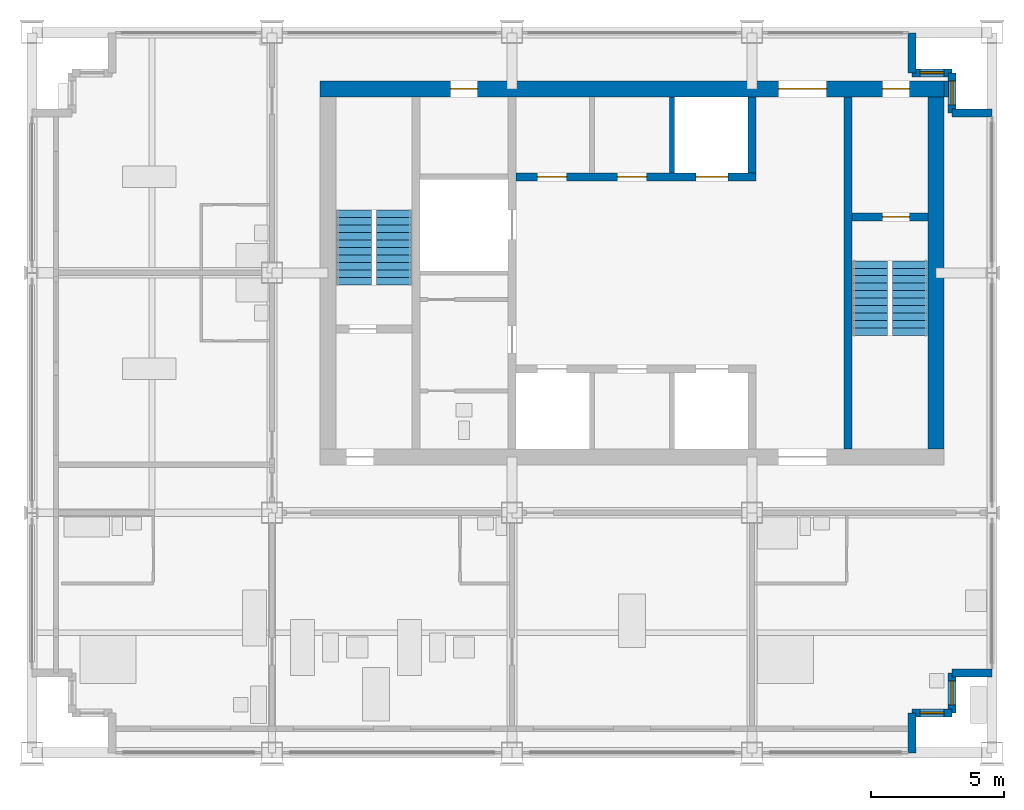
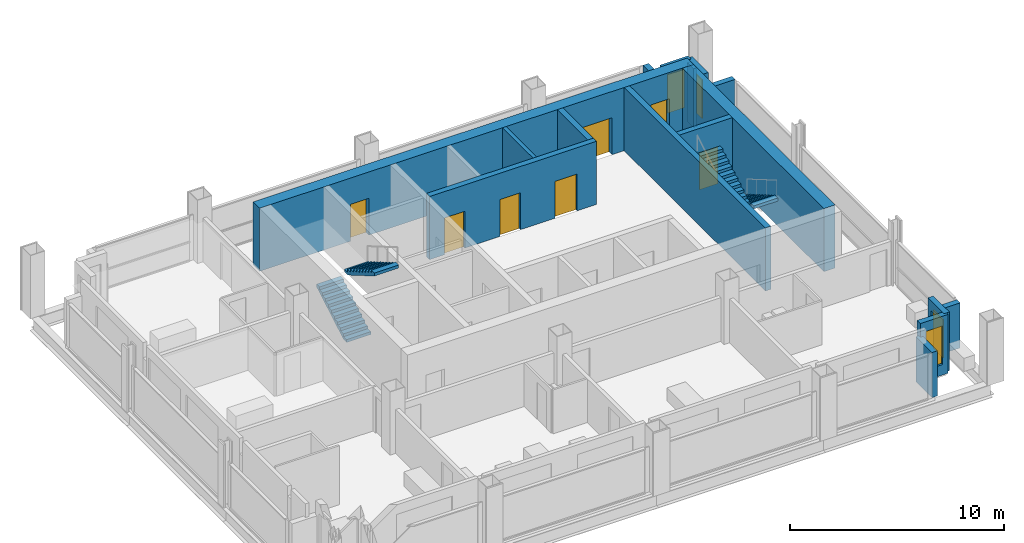
# One storey, part 8 of 11: 16 walls, 7 doors, 4 stair flights, 4 windows, 11 openings, 2 elements without a shape of their own.
"""IFC4 building model written with IfcOpenShell, lengths in metres."""

from ifc_helpers import new_model, si_unit, direction, frame, frame_2d, origin, place, context, subcontext, project, spatial, polyline, rectangle, outline, extrude, material, layer, layer_set, type_object, element, fill, aggregate, save


model = new_model("IFC4")

# Units and contexts
model_context = context("Model", 3, precision=1e-05, world=origin(), true_north=direction((0.0, 1.0)))
body_context = subcontext(model_context, "Body", "Model", "MODEL_VIEW")
ifc_project = project(units=[si_unit("LENGTHUNIT", "METRE"), si_unit("AREAUNIT", "SQUARE_METRE"), si_unit("VOLUMEUNIT", "CUBIC_METRE"), si_unit("PLANEANGLEUNIT", "RADIAN"), si_unit("MASSUNIT", "GRAM", prefix="KILO")], contexts=[model_context])

# Site, building, storey
site_placement = place(None, origin())
site = spatial("IfcSite", under=ifc_project, at=site_placement, CompositionType="ELEMENT")
building_placement = place(site_placement, origin())
building = spatial("IfcBuilding", under=site, at=building_placement, Name="Loomwork Tower", CompositionType="ELEMENT")
storey_placement = place(building_placement, frame((0.0, 0.0, 266.199951171875)))
storey = spatial("IfcBuildingStorey", under=building, at=storey_placement, Name="L73", CompositionType="ELEMENT", Elevation=266.199951171875)

# Wall, openings, doors
ifc_material_1 = material(Name="Concrete 14000 psi (97 MPa)", Category="concrete")
ifc_layer_1 = layer(ifc_material_1, 0.300048828125)
ifc_layer_set_1 = layer_set([ifc_layer_1], Name="Core shear wall 300")
wall_type_1 = type_object("IfcWallType", Name="Core shear wall 300", PredefinedType="SHEAR", material=ifc_layer_set_1)
wall_1_placement = place(storey_placement, frame((18.14990234375, 21.60009765625, 0.0), z_axis=(0.0, 0.0, 1.0), x_axis=(1.0, 0.0, 0.0)))
wall_1 = element("IfcWall", 1, at=wall_1_placement, inside=storey, type_object=wall_type_1, Name="Lift front wall north L73", PredefinedType="SHEAR", context=body_context, shape_type="SweptSolid", body=[
    extrude(rectangle(XDim=9.0, YDim=0.300048828125, at=frame_2d((4.5, 0.0))), origin(), (0.0, 0.0, 1.0), 3.60009765625),
])
opening_1_placement = place(wall_1_placement, frame((6.75, 0.0, 0.0)))
opening_1 = element("IfcOpeningElement", 2, at=opening_1_placement, cuts=wall_1, Name="Opening LD2", PredefinedType="OPENING", context=body_context, shape_type="SweptSolid", body=[
    extrude(rectangle(XDim=1.199951171875, YDim=2.10009765625, at=frame_2d((0.60009765625, 1.050048828125))), frame((0.0, 0.159912109375, 0.0), z_axis=(0.0, -1.0, 0.0), x_axis=(1.0, 0.0, 0.0)), (0.0, 0.0, 1.0), 0.320068359375),
])
opening_2_placement = place(wall_1_placement, frame((0.800048828125, 0.0, 0.0)))
opening_2 = element("IfcOpeningElement", 3, at=opening_2_placement, cuts=wall_1, Name="Opening D17", PredefinedType="OPENING", context=body_context, shape_type="SweptSolid", body=[
    extrude(rectangle(XDim=1.10009765625, YDim=2.10009765625, at=frame_2d((0.550048828125, 1.050048828125))), frame((0.0, 0.159912109375, 0.0), z_axis=(0.0, -1.0, 0.0), x_axis=(1.0, 0.0, 0.0)), (0.0, 0.0, 1.0), 0.320068359375),
])
opening_3_placement = place(wall_1_placement, frame((3.800048828125, 0.0, 0.0)))
opening_3 = element("IfcOpeningElement", 4, at=opening_3_placement, cuts=wall_1, Name="Opening D17", PredefinedType="OPENING", context=body_context, shape_type="SweptSolid", body=[
    extrude(rectangle(XDim=1.10009765625, YDim=2.10009765625, at=frame_2d((0.550048828125, 1.050048828125))), frame((0.0, 0.159912109375, 0.0), z_axis=(0.0, -1.0, 0.0), x_axis=(1.0, 0.0, 0.0)), (0.0, 0.0, 1.0), 0.320068359375),
])
ifc_material_2 = material(Name="Hollow metal door and frame")
door_type_1 = type_object("IfcDoorType", Name="Lift landing door 1200", OperationType="SLIDING_TO_LEFT", PredefinedType="DOOR", material=ifc_material_2)
door_1_placement = place(opening_1_placement, origin())
door_1 = element("IfcDoor", 5, at=door_1_placement, inside=storey, type_object=door_type_1, Name="Lift landing door LF2", OperationType="SLIDING_TO_LEFT", OverallHeight=2.10009765625, OverallWidth=1.199951171875, PredefinedType="DOOR", context=body_context, shape_type="SweptSolid", body=[
    extrude(rectangle(XDim=1.199951171875, YDim=2.10009765625, at=frame_2d((0.60009765625, 1.050048828125))), frame((0.0, 0.02490234375, 0.0), z_axis=(0.0, -1.0, 0.0), x_axis=(1.0, 0.0, 0.0)), (0.0, 0.0, 1.0), 0.050048828125),
])
fill(opening_1, door_1)
ifc_material_3 = material(Name="Hollow metal door and frame")
door_type_2 = type_object("IfcDoorType", Name="Service room door 1100", OperationType="SINGLE_SWING_LEFT", PredefinedType="DOOR", material=ifc_material_3)
door_2_placement = place(opening_2_placement, origin())
door_2 = element("IfcDoor", 6, at=door_2_placement, inside=storey, type_object=door_type_2, Name="Storage room door L73", OperationType="SINGLE_SWING_LEFT", OverallHeight=2.10009765625, OverallWidth=1.10009765625, PredefinedType="DOOR", context=body_context, shape_type="SweptSolid", body=[
    extrude(rectangle(XDim=1.10009765625, YDim=2.10009765625, at=frame_2d((0.550048828125, 1.050048828125))), frame((0.0, 0.02490234375, 0.0), z_axis=(0.0, -1.0, 0.0), x_axis=(1.0, 0.0, 0.0)), (0.0, 0.0, 1.0), 0.050048828125),
])
fill(opening_2, door_2)
door_3_placement = place(opening_3_placement, origin())
door_3 = element("IfcDoor", 7, at=door_3_placement, inside=storey, type_object=door_type_2, Name="Linen and housekeeping store door L73", OperationType="SINGLE_SWING_LEFT", OverallHeight=2.10009765625, OverallWidth=1.10009765625, PredefinedType="DOOR", context=body_context, shape_type="SweptSolid", body=[
    extrude(rectangle(XDim=1.10009765625, YDim=2.10009765625, at=frame_2d((0.550048828125, 1.050048828125))), frame((0.0, 0.02490234375, 0.0), z_axis=(0.0, -1.0, 0.0), x_axis=(1.0, 0.0, 0.0)), (0.0, 0.0, 1.0), 0.050048828125),
])
fill(opening_3, door_3)

# Walls
wall_2_placement = place(storey_placement, frame((27.0, 21.75, 0.0), z_axis=(0.0, 0.0, 1.0), x_axis=(0.0, 1.0, 0.0)))
element("IfcWall", 8, at=wall_2_placement, inside=storey, type_object=wall_type_1, Name="Lift shaft end wall north L73", PredefinedType="SHEAR", context=body_context, shape_type="SweptSolid", body=[
    extrude(rectangle(XDim=2.85009765625, YDim=0.300048828125, at=frame_2d((1.425048828125, 0.0))), origin(), (0.0, 0.0, 1.0), 3.60009765625),
])
wall_3_placement = place(storey_placement, frame((30.60009765625, 11.39990234375, 0.0), z_axis=(0.0, 0.0, 1.0), x_axis=(0.0, 1.0, 0.0)))
element("IfcWall", 9, at=wall_3_placement, inside=storey, type_object=wall_type_1, Name="Stair B west wall L73", PredefinedType="SHEAR", context=body_context, shape_type="SweptSolid", body=[
    extrude(rectangle(XDim=13.2001953125, YDim=0.300048828125, at=frame_2d((6.60009765625, 0.0))), origin(), (0.0, 0.0, 1.0), 3.60009765625),
])

# Wall, opening, door
wall_4_placement = place(storey_placement, frame((30.75, 20.10009765625, 0.0), z_axis=(0.0, 0.0, 1.0), x_axis=(1.0, 0.0, 0.0)))
wall_4 = element("IfcWall", 10, at=wall_4_placement, inside=storey, type_object=wall_type_1, Name="Stair B north wall L73", PredefinedType="SHEAR", context=body_context, shape_type="SweptSolid", body=[
    extrude(rectangle(XDim=2.85009765625, YDim=0.300048828125, at=frame_2d((1.425048828125, 0.0))), origin(), (0.0, 0.0, 1.0), 3.60009765625),
])
opening_4_placement = place(wall_4_placement, frame((1.14990234375, 0.0, 0.0)))
opening_4 = element("IfcOpeningElement", 11, at=opening_4_placement, cuts=wall_4, Name="Opening D4", PredefinedType="OPENING", context=body_context, shape_type="SweptSolid", body=[
    extrude(rectangle(XDim=1.0, YDim=2.10009765625, at=frame_2d((0.5, 1.050048828125))), frame((0.0, 0.159912109375, 0.0), z_axis=(0.0, -1.0, 0.0), x_axis=(1.0, 0.0, 0.0)), (0.0, 0.0, 1.0), 0.320068359375),
])
ifc_material_4 = material(Name="Hollow metal door and frame")
door_type_3 = type_object("IfcDoorType", Name="Stair door 1000", OperationType="SINGLE_SWING_RIGHT", PredefinedType="DOOR", material=ifc_material_4)
door_4_placement = place(opening_4_placement, frame((1.0, 0.0, 0.0), z_axis=(0.0, 0.0, 1.0), x_axis=(-1.0, 0.0, 0.0)))
door_4 = element("IfcDoor", 12, at=door_4_placement, inside=storey, type_object=door_type_3, Name="Stair B door", OperationType="SINGLE_SWING_LEFT", OverallHeight=2.10009765625, OverallWidth=1.0, PredefinedType="DOOR", context=body_context, shape_type="SweptSolid", body=[
    extrude(rectangle(XDim=1.0, YDim=2.10009765625, at=frame_2d((0.5, 1.050048828125))), frame((0.0, 0.02490234375, 0.0), z_axis=(0.0, -1.0, 0.0), x_axis=(1.0, 0.0, 0.0)), (0.0, 0.0, 1.0), 0.050048828125),
])
fill(opening_4, door_4)

# Wall, openings, doors
ifc_material_5 = material(Name="Concrete 14000 psi (97 MPa)", Category="concrete")
ifc_layer_2 = layer(ifc_material_5, 0.60009765625)
ifc_layer_set_2 = layer_set([ifc_layer_2], Name="Core shear wall 600")
wall_type_2 = type_object("IfcWallType", Name="Core shear wall 600", PredefinedType="SHEAR", material=ifc_layer_set_2)
wall_5_placement = place(storey_placement, frame((10.800048828125, 24.89990234375, 0.0), z_axis=(0.0, 0.0, 1.0), x_axis=(1.0, 0.0, 0.0)))
wall_5 = element("IfcWall", 13, at=wall_5_placement, inside=storey, type_object=wall_type_2, Name="Core wall north L73", PredefinedType="SHEAR", context=body_context, shape_type="SweptSolid", body=[
    extrude(rectangle(XDim=23.39990234375, YDim=0.60009765625, at=frame_2d((11.699951171875, 0.0))), origin(), (0.0, 0.0, 1.0), 3.60009765625),
])
opening_5_placement = place(wall_5_placement, frame((17.199951171875, 0.0, 0.0)))
opening_5 = element("IfcOpeningElement", 14, at=opening_5_placement, cuts=wall_5, Name="Opening D6", PredefinedType="OPENING", context=body_context, shape_type="SweptSolid", body=[
    extrude(rectangle(XDim=1.800048828125, YDim=2.10009765625, at=frame_2d((0.89990234375, 1.050048828125))), frame((0.0, 0.31005859375, 0.0), z_axis=(0.0, -1.0, 0.0), x_axis=(1.0, 0.0, 0.0)), (0.0, 0.0, 1.0), 0.6201171875),
])
opening_6_placement = place(wall_5_placement, frame((21.10009765625, 0.0, 0.0)))
opening_6 = element("IfcOpeningElement", 15, at=opening_6_placement, cuts=wall_5, Name="Opening D4", PredefinedType="OPENING", context=body_context, shape_type="SweptSolid", body=[
    extrude(rectangle(XDim=1.0, YDim=2.10009765625, at=frame_2d((0.5, 1.050048828125))), frame((0.0, 0.31005859375, 0.0), z_axis=(0.0, -1.0, 0.0), x_axis=(1.0, 0.0, 0.0)), (0.0, 0.0, 1.0), 0.6201171875),
])
opening_7_placement = place(wall_5_placement, frame((4.89990234375, 0.0, 0.0)))
opening_7 = element("IfcOpeningElement", 16, at=opening_7_placement, cuts=wall_5, Name="Opening D5", PredefinedType="OPENING", context=body_context, shape_type="SweptSolid", body=[
    extrude(rectangle(XDim=1.0, YDim=2.10009765625, at=frame_2d((0.5, 1.050048828125))), frame((0.0, 0.31005859375, 0.0), z_axis=(0.0, -1.0, 0.0), x_axis=(1.0, 0.0, 0.0)), (0.0, 0.0, 1.0), 0.6201171875),
])
ifc_material_6 = material(Name="Hollow metal door and frame")
door_type_4 = type_object("IfcDoorType", Name="Lobby passage double door 1800", OperationType="DOUBLE_DOOR_SINGLE_SWING", PredefinedType="DOOR", material=ifc_material_6)
door_5_placement = place(opening_5_placement, frame((1.800048828125, 0.0, 0.0), z_axis=(0.0, 0.0, 1.0), x_axis=(-1.0, 0.0, 0.0)))
door_5 = element("IfcDoor", 17, at=door_5_placement, inside=storey, type_object=door_type_4, Name="Lobby passage door north", OperationType="DOUBLE_DOOR_SINGLE_SWING", OverallHeight=2.10009765625, OverallWidth=1.800048828125, PredefinedType="DOOR", context=body_context, shape_type="SweptSolid", body=[
    extrude(rectangle(XDim=1.800048828125, YDim=2.10009765625, at=frame_2d((0.89990234375, 1.050048828125))), frame((0.0, 0.02490234375, 0.0), z_axis=(0.0, -1.0, 0.0), x_axis=(1.0, 0.0, 0.0)), (0.0, 0.0, 1.0), 0.050048828125),
])
fill(opening_5, door_5)
ifc_material_7 = material(Name="Hollow metal door and frame")
door_type_5 = type_object("IfcDoorType", Name="Service door 1000", OperationType="SINGLE_SWING_LEFT", PredefinedType="DOOR", material=ifc_material_7)
door_6_placement = place(opening_7_placement, frame((1.0, 0.0, 0.0), z_axis=(0.0, 0.0, 1.0), x_axis=(-1.0, 0.0, 0.0)))
door_6 = element("IfcDoor", 18, at=door_6_placement, inside=storey, type_object=door_type_5, Name="Back-of-house door north", OperationType="SINGLE_SWING_LEFT", OverallHeight=2.10009765625, OverallWidth=1.0, PredefinedType="DOOR", context=body_context, shape_type="SweptSolid", body=[
    extrude(rectangle(XDim=1.0, YDim=2.10009765625, at=frame_2d((0.5, 1.050048828125))), frame((0.0, 0.02490234375, 0.0), z_axis=(0.0, -1.0, 0.0), x_axis=(1.0, 0.0, 0.0)), (0.0, 0.0, 1.0), 0.050048828125),
])
fill(opening_7, door_6)
door_7_placement = place(opening_6_placement, frame((1.0, 0.0, 0.0), z_axis=(0.0, 0.0, 1.0), x_axis=(-1.0, 0.0, 0.0)))
door_7 = element("IfcDoor", 19, at=door_7_placement, inside=storey, type_object=door_type_3, Name="Stair B vestibule door", OperationType="SINGLE_SWING_LEFT", OverallHeight=2.10009765625, OverallWidth=1.0, PredefinedType="DOOR", context=body_context, shape_type="SweptSolid", body=[
    extrude(rectangle(XDim=1.0, YDim=2.10009765625, at=frame_2d((0.5, 1.050048828125))), frame((0.0, 0.02490234375, 0.0), z_axis=(0.0, -1.0, 0.0), x_axis=(1.0, 0.0, 0.0)), (0.0, 0.0, 1.0), 0.050048828125),
])
fill(opening_6, door_7)

# Walls
wall_6_placement = place(storey_placement, frame((33.89990234375, 11.39990234375, 0.0), z_axis=(0.0, 0.0, 1.0), x_axis=(0.0, 1.0, 0.0)))
element("IfcWall", 20, at=wall_6_placement, inside=storey, type_object=wall_type_2, Name="Core wall east L73", PredefinedType="SHEAR", context=body_context, shape_type="SweptSolid", body=[
    extrude(rectangle(XDim=13.2001953125, YDim=0.60009765625, at=frame_2d((6.60009765625, 0.0))), origin(), (0.0, 0.0, 1.0), 3.60009765625),
])
ifc_material_8 = material(Name="Concrete 14000 psi (97 MPa)", Category="concrete")
ifc_layer_3 = layer(ifc_material_8, 0.199951171875)
ifc_layer_set_3 = layer_set([ifc_layer_3], Name="Lift shaft wall 200")
wall_type_3 = type_object("IfcWallType", Name="Lift shaft wall 200", PredefinedType="SHEAR", material=ifc_layer_set_3)
wall_7_placement = place(storey_placement, frame((24.0, 21.75, 0.0), z_axis=(0.0, 0.0, 1.0), x_axis=(0.0, 1.0, 0.0)))
element("IfcWall", 21, at=wall_7_placement, inside=storey, type_object=wall_type_3, Name="Lift shaft separation wall north 2 L73", PredefinedType="SHEAR", context=body_context, shape_type="SweptSolid", body=[
    extrude(rectangle(XDim=2.85009765625, YDim=0.199951171875, at=frame_2d((1.425048828125, 0.0))), origin(), (0.0, 0.0, 1.0), 3.60009765625),
])
ifc_material_9 = material(Name="Limestone on concrete masonry", Category="masonry")
ifc_layer_4 = layer(ifc_material_9, 0.300048828125)
ifc_layer_set_4 = layer_set([ifc_layer_4], Name="Limestone corner wall 300")
wall_type_4 = type_object("IfcWallType", Name="Limestone corner wall 300", PredefinedType="SOLIDWALL", material=ifc_layer_set_4)
wall_8_placement = place(storey_placement, frame((33.0, 0.0, 0.0), z_axis=(0.0, 0.0, 1.0), x_axis=(0.0, 1.0, 0.0)))
element("IfcWall", 22, at=wall_8_placement, inside=storey, type_object=wall_type_4, Name="Stone corner wall SE 1", PredefinedType="SOLIDWALL", context=body_context, shape_type="SweptSolid", body=[
    extrude(rectangle(XDim=1.5, YDim=0.300048828125, at=frame_2d((0.75, 0.0))), origin(), (0.0, 0.0, 1.0), 2.570068359375),
])

# Wall, opening, window
wall_9_placement = place(storey_placement, frame((33.0, 1.5, 0.0), z_axis=(0.0, 0.0, 1.0), x_axis=(1.0, 0.0, 0.0)))
wall_9 = element("IfcWall", 23, at=wall_9_placement, inside=storey, type_object=wall_type_4, Name="Stone corner wall SE 2", PredefinedType="SOLIDWALL", context=body_context, shape_type="SweptSolid", body=[
    extrude(rectangle(XDim=1.5, YDim=0.300048828125, at=frame_2d((0.75, 0.0))), origin(), (0.0, 0.0, 1.0), 3.35009765625),
])
opening_8_placement = place(wall_9_placement, frame((0.300048828125, 0.0, 0.60009765625)))
opening_8 = element("IfcOpeningElement", 24, at=opening_8_placement, cuts=wall_9, Name="Opening CH2", PredefinedType="OPENING", context=body_context, shape_type="SweptSolid", body=[
    extrude(rectangle(XDim=0.89990234375, YDim=2.199951171875, at=frame_2d((0.449951171875, 1.10009765625))), frame((0.0, 0.159912109375, 0.0), z_axis=(0.0, -1.0, 0.0), x_axis=(1.0, 0.0, 0.0)), (0.0, 0.0, 1.0), 0.320068359375),
])
ifc_material_10 = material(Name="Aluminium frame with clear insulated glass", Category="aluminium")
window_type = type_object("IfcWindowType", Name="Corner window 900", PartitioningType="SINGLE_PANEL", PredefinedType="WINDOW", material=ifc_material_10)
window_1_placement = place(opening_8_placement, origin())
window_1 = element("IfcWindow", 25, at=window_1_placement, inside=storey, type_object=window_type, Name="Corner window SE", OverallHeight=2.199951171875, OverallWidth=0.89990234375, PartitioningType="SINGLE_PANEL", PredefinedType="WINDOW", context=body_context, shape_type="SweptSolid", body=[
    extrude(rectangle(XDim=0.89990234375, YDim=2.199951171875, at=frame_2d((0.449951171875, 1.10009765625))), frame((0.0, 0.030029296875, 0.0), z_axis=(0.0, -1.0, 0.0), x_axis=(1.0, 0.0, 0.0)), (0.0, 0.0, 1.0), 0.06005859375),
])
fill(opening_8, window_1)

wall_10_placement = place(storey_placement, frame((34.5, 1.5, 0.0), z_axis=(0.0, 0.0, 1.0), x_axis=(0.0, 1.0, 0.0)))
wall_10 = element("IfcWall", 26, at=wall_10_placement, inside=storey, type_object=wall_type_4, Name="Stone corner wall SE 3", PredefinedType="SOLIDWALL", context=body_context, shape_type="SweptSolid", body=[
    extrude(rectangle(XDim=1.5, YDim=0.300048828125, at=frame_2d((0.75, 0.0))), origin(), (0.0, 0.0, 1.0), 3.35009765625),
])
opening_9_placement = place(wall_10_placement, frame((0.300048828125, 0.0, 0.60009765625)))
opening_9 = element("IfcOpeningElement", 27, at=opening_9_placement, cuts=wall_10, Name="Opening CH2", PredefinedType="OPENING", context=body_context, shape_type="SweptSolid", body=[
    extrude(rectangle(XDim=0.89990234375, YDim=2.199951171875, at=frame_2d((0.449951171875, 1.10009765625))), frame((0.0, 0.159912109375, 0.0), z_axis=(0.0, -1.0, 0.0), x_axis=(1.0, 0.0, 0.0)), (0.0, 0.0, 1.0), 0.320068359375),
])
window_2_placement = place(opening_9_placement, origin())
window_2 = element("IfcWindow", 28, at=window_2_placement, inside=storey, type_object=window_type, Name="Corner window SE", OverallHeight=2.199951171875, OverallWidth=0.89990234375, PartitioningType="SINGLE_PANEL", PredefinedType="WINDOW", context=body_context, shape_type="SweptSolid", body=[
    extrude(rectangle(XDim=0.89990234375, YDim=2.199951171875, at=frame_2d((0.449951171875, 1.10009765625))), frame((0.0, 0.030029296875, 0.0), z_axis=(0.0, -1.0, 0.0), x_axis=(1.0, 0.0, 0.0)), (0.0, 0.0, 1.0), 0.06005859375),
])
fill(opening_9, window_2)

# Walls
for number, where, z_axis, x_axis, name in (
    (29, (34.5, 3.0, 0.0), (0.0, 0.0, 1.0), (1.0, 0.0, 0.0), "Stone corner wall SE 4"),
    (30, (36.0, 24.0, 0.0), (0.0, 0.0, 1.0), (-1.0, 0.0, 0.0), "Stone corner wall NE 1"),
):
    element("IfcWall", number, at=place(storey_placement, frame(where, z_axis=z_axis, x_axis=x_axis)), inside=storey, type_object=wall_type_4, Name=name, PredefinedType="SOLIDWALL", context=body_context, shape_type="SweptSolid", body=[
        extrude(rectangle(XDim=1.5, YDim=0.300048828125, at=frame_2d((0.75, 0.0))), origin(), (0.0, 0.0, 1.0), 2.570068359375),
    ])

# Wall, opening, window
wall_11_placement = place(storey_placement, frame((34.5, 24.0, 0.0), z_axis=(0.0, 0.0, 1.0), x_axis=(0.0, 1.0, 0.0)))
wall_11 = element("IfcWall", 31, at=wall_11_placement, inside=storey, type_object=wall_type_4, Name="Stone corner wall NE 2", PredefinedType="SOLIDWALL", context=body_context, shape_type="SweptSolid", body=[
    extrude(rectangle(XDim=1.5, YDim=0.300048828125, at=frame_2d((0.75, 0.0))), origin(), (0.0, 0.0, 1.0), 3.35009765625),
])
opening_10_placement = place(wall_11_placement, frame((0.300048828125, 0.0, 0.60009765625)))
opening_10 = element("IfcOpeningElement", 32, at=opening_10_placement, cuts=wall_11, Name="Opening CH2", PredefinedType="OPENING", context=body_context, shape_type="SweptSolid", body=[
    extrude(rectangle(XDim=0.89990234375, YDim=2.199951171875, at=frame_2d((0.449951171875, 1.10009765625))), frame((0.0, 0.159912109375, 0.0), z_axis=(0.0, -1.0, 0.0), x_axis=(1.0, 0.0, 0.0)), (0.0, 0.0, 1.0), 0.320068359375),
])
window_3_placement = place(opening_10_placement, origin())
window_3 = element("IfcWindow", 33, at=window_3_placement, inside=storey, type_object=window_type, Name="Corner window NE", OverallHeight=2.199951171875, OverallWidth=0.89990234375, PartitioningType="SINGLE_PANEL", PredefinedType="WINDOW", context=body_context, shape_type="SweptSolid", body=[
    extrude(rectangle(XDim=0.89990234375, YDim=2.199951171875, at=frame_2d((0.449951171875, 1.10009765625))), frame((0.0, 0.030029296875, 0.0), z_axis=(0.0, -1.0, 0.0), x_axis=(1.0, 0.0, 0.0)), (0.0, 0.0, 1.0), 0.06005859375),
])
fill(opening_10, window_3)

wall_12_placement = place(storey_placement, frame((34.5, 25.5, 0.0), z_axis=(0.0, 0.0, 1.0), x_axis=(-1.0, 0.0, 0.0)))
wall_12 = element("IfcWall", 34, at=wall_12_placement, inside=storey, type_object=wall_type_4, Name="Stone corner wall NE 3", PredefinedType="SOLIDWALL", context=body_context, shape_type="SweptSolid", body=[
    extrude(rectangle(XDim=1.5, YDim=0.300048828125, at=frame_2d((0.75, 0.0))), origin(), (0.0, 0.0, 1.0), 3.35009765625),
])
opening_11_placement = place(wall_12_placement, frame((0.300048828125, 0.0, 0.60009765625)))
opening_11 = element("IfcOpeningElement", 35, at=opening_11_placement, cuts=wall_12, Name="Opening CH2", PredefinedType="OPENING", context=body_context, shape_type="SweptSolid", body=[
    extrude(rectangle(XDim=0.89990234375, YDim=2.199951171875, at=frame_2d((0.449951171875, 1.10009765625))), frame((0.0, 0.159912109375, 0.0), z_axis=(0.0, -1.0, 0.0), x_axis=(1.0, 0.0, 0.0)), (0.0, 0.0, 1.0), 0.320068359375),
])
window_4_placement = place(opening_11_placement, origin())
window_4 = element("IfcWindow", 36, at=window_4_placement, inside=storey, type_object=window_type, Name="Corner window NE", OverallHeight=2.199951171875, OverallWidth=0.89990234375, PartitioningType="SINGLE_PANEL", PredefinedType="WINDOW", context=body_context, shape_type="SweptSolid", body=[
    extrude(rectangle(XDim=0.89990234375, YDim=2.199951171875, at=frame_2d((0.449951171875, 1.10009765625))), frame((0.0, 0.030029296875, 0.0), z_axis=(0.0, -1.0, 0.0), x_axis=(1.0, 0.0, 0.0)), (0.0, 0.0, 1.0), 0.06005859375),
])
fill(opening_11, window_4)

# Walls
wall_13_placement = place(storey_placement, frame((33.0, 25.5, 0.0), z_axis=(0.0, 0.0, 1.0), x_axis=(0.0, 1.0, 0.0)))
element("IfcWall", 37, at=wall_13_placement, inside=storey, type_object=wall_type_4, Name="Stone corner wall NE 4", PredefinedType="SOLIDWALL", context=body_context, shape_type="SweptSolid", body=[
    extrude(rectangle(XDim=1.5, YDim=0.300048828125, at=frame_2d((0.75, 0.0))), origin(), (0.0, 0.0, 1.0), 2.570068359375),
])
ifc_material_11 = material(Name="Gypsum board on steel studs, one-hour", Category="steel")
ifc_layer_5 = layer(ifc_material_11, 0.14990234375)
ifc_layer_set_5 = layer_set([ifc_layer_5], Name="Service partition 150")
wall_type_5 = type_object("IfcWallType", Name="Service partition 150", PredefinedType="PARTITIONING", material=ifc_layer_set_5)
wall_14_placement = place(storey_placement, frame((34.199951171875, 24.89990234375, 0.0), z_axis=(0.0, 0.0, 1.0), x_axis=(1.0, 0.0, 0.0)))
element("IfcWall", 38, at=wall_14_placement, inside=storey, type_object=wall_type_5, Name="Core wall infill L73", PredefinedType="PARTITIONING", context=body_context, shape_type="SweptSolid", body=[
    extrude(rectangle(XDim=0.16015625, YDim=0.60009765625, at=frame_2d((0.080078125, 0.0))), origin(), (0.0, 0.0, 1.0), 3.35009765625),
])

# Stair, stair flights
ifc_material_12 = material(Name="Concrete 5000 psi (34 MPa) precast stair", Category="concrete")
stair_type_1 = type_object("IfcStairType", Name="Stair ST-A 22 risers 2850 wide", PredefinedType="HALF_TURN_STAIR", material=ifc_material_12)
stair_1_placement = place(storey_placement, origin())
stair_1 = element("IfcStair", 39, at=stair_1_placement, inside=storey, type_object=stair_type_1, Name="Stair A L73", PredefinedType="HALF_TURN_STAIR")
ifc_material_13 = material(Name="Concrete 5000 psi (34 MPa) precast stair", Category="concrete")
stair_flight_type_1 = type_object("IfcStairFlightType", Name="Stair flight ST-A 11 risers 1300 wide", PredefinedType="STRAIGHT", material=ifc_material_13)
stair_flight_1_placement = place(storey_placement, frame((12.074951171875, 17.550048828125, 0.0), z_axis=(0.0, 0.0, 1.0), x_axis=(0.0, 1.0, 0.0)))
stair_flight_1 = element("IfcStairFlight", 40, at=stair_flight_1_placement, type_object=stair_flight_type_1, Name="ST-A flight 1", NumberOfRisers=11, NumberOfTreads=10, PredefinedType="STRAIGHT", RiserHeight=0.163636364, TreadLength=0.28, context=body_context, shape_type="SweptSolid", body=[
    extrude(outline(polyline([(0.0, 0.0), (0.0, 0.16357421875), (0.280029296875, 0.16357421875), (0.280029296875, 0.327392578125), (0.56005859375, 0.327392578125), (0.56005859375, 0.490966796875), (0.840087890625, 0.490966796875), (0.840087890625, 0.654541015625), (1.1201171875, 0.654541015625), (1.1201171875, 0.818115234375), (1.39990234375, 0.818115234375), (1.39990234375, 0.98193359375), (1.679931640625, 0.98193359375), (1.679931640625, 1.1455078125), (1.9599609375, 1.1455078125), (1.9599609375, 1.30908203125), (2.239990234375, 1.30908203125), (2.239990234375, 1.47265625), (2.52001953125, 1.47265625), (2.52001953125, 1.636474609375), (2.800048828125, 1.636474609375), (2.800048828125, 1.800048828125), (2.800048828125, 1.462646484375), (0.297119140625, 0.0), (0.0, 0.0)])), frame((0.0, 0.64990234375, 0.0), z_axis=(0.0, -1.0, 0.0), x_axis=(1.0, 0.0, 0.0)), (0.0, 0.0, 1.0), 1.300048828125),
])
stair_flight_2_placement = place(storey_placement, frame((13.574951171875, 20.35009765625, 1.800048828125), z_axis=(0.0, 0.0, 1.0), x_axis=(0.0, -1.0, 0.0)))
stair_flight_2 = element("IfcStairFlight", 41, at=stair_flight_2_placement, type_object=stair_flight_type_1, Name="ST-A flight 2", NumberOfRisers=11, NumberOfTreads=10, PredefinedType="STRAIGHT", RiserHeight=0.163636364, TreadLength=0.28, context=body_context, shape_type="SweptSolid", body=[
    extrude(outline(polyline([(0.0, 0.0), (0.0, 0.16357421875), (0.280029296875, 0.16357421875), (0.280029296875, 0.327392578125), (0.56005859375, 0.327392578125), (0.56005859375, 0.490966796875), (0.840087890625, 0.490966796875), (0.840087890625, 0.654541015625), (1.1201171875, 0.654541015625), (1.1201171875, 0.818115234375), (1.39990234375, 0.818115234375), (1.39990234375, 0.98193359375), (1.679931640625, 0.98193359375), (1.679931640625, 1.1455078125), (1.9599609375, 1.1455078125), (1.9599609375, 1.30908203125), (2.239990234375, 1.30908203125), (2.239990234375, 1.47265625), (2.52001953125, 1.47265625), (2.52001953125, 1.636474609375), (2.800048828125, 1.636474609375), (2.800048828125, 1.800048828125), (2.800048828125, 1.462646484375), (0.297119140625, 0.0), (0.0, 0.0)])), frame((0.0, 0.64990234375, 0.0), z_axis=(0.0, -1.0, 0.0), x_axis=(1.0, 0.0, 0.0)), (0.0, 0.0, 1.0), 1.300048828125),
])
aggregate(stair_1, [stair_flight_1, stair_flight_2])

ifc_material_14 = material(Name="Concrete 5000 psi (34 MPa) precast stair", Category="concrete")
stair_type_2 = type_object("IfcStairType", Name="Stair ST-B 22 risers 2850 wide", PredefinedType="HALF_TURN_STAIR", material=ifc_material_14)
stair_2_placement = place(storey_placement, origin())
stair_2 = element("IfcStair", 42, at=stair_2_placement, inside=storey, type_object=stair_type_2, Name="Stair B L73", PredefinedType="HALF_TURN_STAIR")
ifc_material_15 = material(Name="Concrete 5000 psi (34 MPa) precast stair", Category="concrete")
stair_flight_type_2 = type_object("IfcStairFlightType", Name="Stair flight ST-B 11 risers 1300 wide", PredefinedType="STRAIGHT", material=ifc_material_15)
stair_flight_3_placement = place(storey_placement, frame((32.925048828125, 18.449951171875, 0.0), z_axis=(0.0, 0.0, 1.0), x_axis=(0.0, -1.0, 0.0)))
stair_flight_3 = element("IfcStairFlight", 43, at=stair_flight_3_placement, type_object=stair_flight_type_2, Name="ST-B flight 1", NumberOfRisers=11, NumberOfTreads=10, PredefinedType="STRAIGHT", RiserHeight=0.163636364, TreadLength=0.28, context=body_context, shape_type="SweptSolid", body=[
    extrude(outline(polyline([(0.0, 0.0), (0.0, 0.16357421875), (0.280029296875, 0.16357421875), (0.280029296875, 0.327392578125), (0.56005859375, 0.327392578125), (0.56005859375, 0.490966796875), (0.840087890625, 0.490966796875), (0.840087890625, 0.654541015625), (1.1201171875, 0.654541015625), (1.1201171875, 0.818115234375), (1.39990234375, 0.818115234375), (1.39990234375, 0.98193359375), (1.679931640625, 0.98193359375), (1.679931640625, 1.1455078125), (1.9599609375, 1.1455078125), (1.9599609375, 1.30908203125), (2.239990234375, 1.30908203125), (2.239990234375, 1.47265625), (2.52001953125, 1.47265625), (2.52001953125, 1.636474609375), (2.800048828125, 1.636474609375), (2.800048828125, 1.800048828125), (2.800048828125, 1.462646484375), (0.297119140625, 0.0), (0.0, 0.0)])), frame((0.0, 0.64990234375, 0.0), z_axis=(0.0, -1.0, 0.0), x_axis=(1.0, 0.0, 0.0)), (0.0, 0.0, 1.0), 1.300048828125),
])
stair_flight_4_placement = place(storey_placement, frame((31.425048828125, 15.64990234375, 1.800048828125), z_axis=(0.0, 0.0, 1.0), x_axis=(0.0, 1.0, 0.0)))
stair_flight_4 = element("IfcStairFlight", 44, at=stair_flight_4_placement, type_object=stair_flight_type_2, Name="ST-B flight 2", NumberOfRisers=11, NumberOfTreads=10, PredefinedType="STRAIGHT", RiserHeight=0.163636364, TreadLength=0.28, context=body_context, shape_type="SweptSolid", body=[
    extrude(outline(polyline([(0.0, 0.0), (0.0, 0.16357421875), (0.280029296875, 0.16357421875), (0.280029296875, 0.327392578125), (0.56005859375, 0.327392578125), (0.56005859375, 0.490966796875), (0.840087890625, 0.490966796875), (0.840087890625, 0.654541015625), (1.1201171875, 0.654541015625), (1.1201171875, 0.818115234375), (1.39990234375, 0.818115234375), (1.39990234375, 0.98193359375), (1.679931640625, 0.98193359375), (1.679931640625, 1.1455078125), (1.9599609375, 1.1455078125), (1.9599609375, 1.30908203125), (2.239990234375, 1.30908203125), (2.239990234375, 1.47265625), (2.52001953125, 1.47265625), (2.52001953125, 1.636474609375), (2.800048828125, 1.636474609375), (2.800048828125, 1.800048828125), (2.800048828125, 1.462646484375), (0.297119140625, 0.0), (0.0, 0.0)])), frame((0.0, 0.64990234375, 0.0), z_axis=(0.0, -1.0, 0.0), x_axis=(1.0, 0.0, 0.0)), (0.0, 0.0, 1.0), 1.300048828125),
])
aggregate(stair_2, [stair_flight_3, stair_flight_4])

save(model, "model.ifc")
